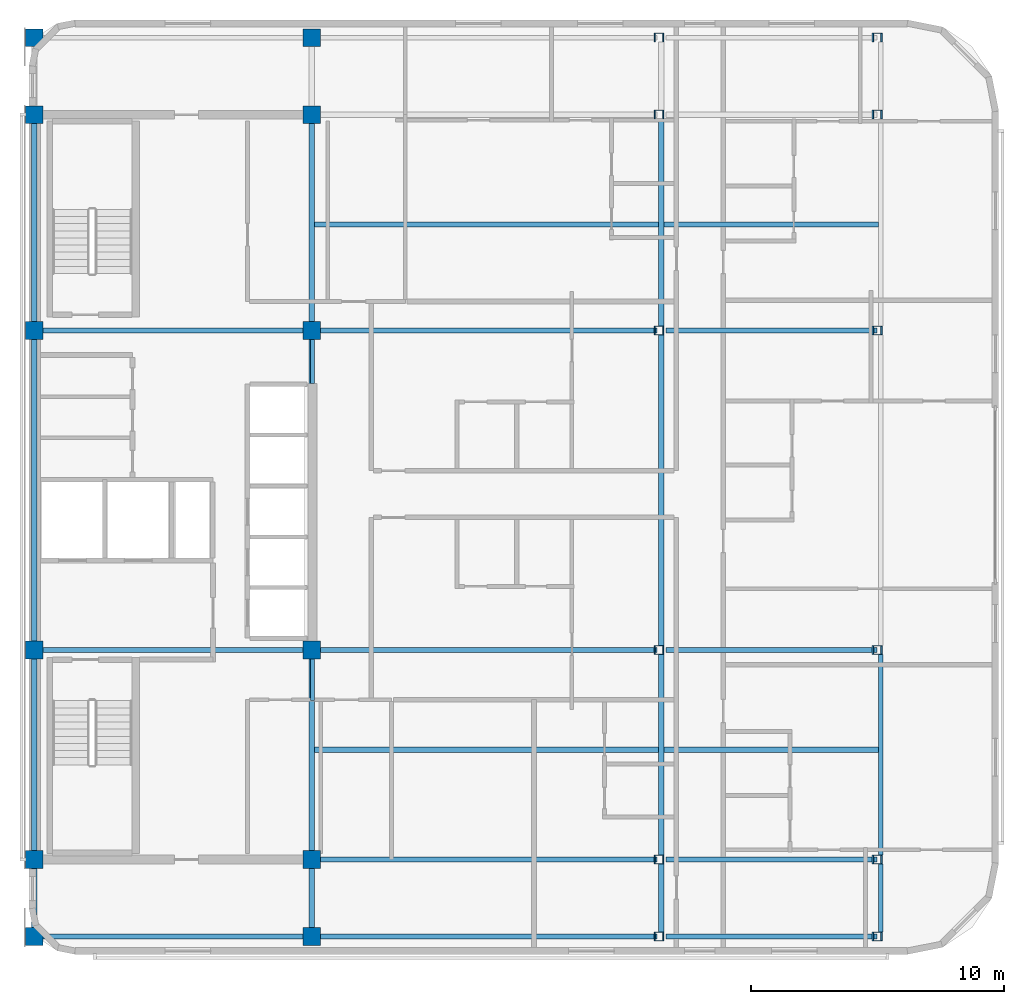
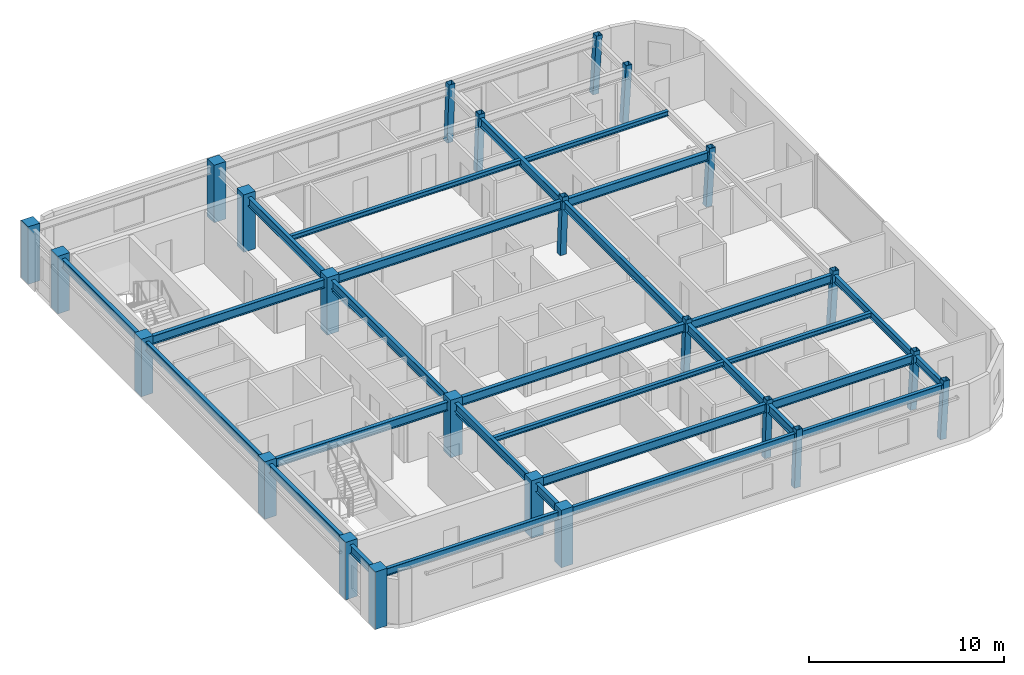
# One storey, part 1 of 10: 31 beams, 24 columns.
"""IFC4 building model written with IfcOpenShell, lengths in metres."""

import ifcopenshell
import ifcopenshell.guid

model = None  # the IFC model being written
_history = None  # IfcOwnerHistory: only IFC2X3 demands one
_inside = {}  # id of a spatial element -> (the spatial element, [elements in it])
_under = {}  # id of a project, library or spatial element -> (it, [spatial elements below it])
_declared = {}  # id of a project -> (the project, [libraries it declares])
_typed = {}  # id of a type object -> (the type object, [elements of that type])
_made_of = {}  # id of a material, layer set ... -> (it, [elements and type objects made of it])


def new_model(schema):
    """Start an empty IFC model of exactly this schema.

    Asked for "IFC4X3", IfcOpenShell would pick the latest addendum, in which some entities
    have other attributes; the version numbers below select the first issue.
    IFC2X3 requires an IfcOwnerHistory on every rooted entity: one is made here for all.
    """
    global model, _history
    if schema == "IFC4X3":
        model = ifcopenshell.file(schema_version=(4, 3, 0, 0))
    else:
        model = ifcopenshell.file(schema=schema)
    _inside.clear()
    _under.clear()
    _declared.clear()
    _typed.clear()
    _made_of.clear()
    _history = None
    if model.schema == "IFC2X3":
        org = make("IfcOrganization", Name="unknown")
        user = make(
            "IfcPersonAndOrganization",
            ThePerson=make("IfcPerson", FamilyName="unknown"),
            TheOrganization=org,
        )
        app = make(
            "IfcApplication",
            ApplicationDeveloper=org,
            Version="unknown",
            ApplicationFullName="unknown",
            ApplicationIdentifier="unknown",
        )
        _history = make(
            "IfcOwnerHistory",
            OwningUser=user,
            OwningApplication=app,
            ChangeAction="ADDED",
            CreationDate=0,
        )
    return model


def make(cls, **values):
    """One entity of the class cls with the attributes given. An attribute that is None is left unset."""
    return model.create_entity(
        cls, **{name: value for name, value in values.items() if value is not None}
    )


def rooted(cls, **values):
    """An entity with a GlobalId (a new one), such as an element, a storey or a relation."""
    return make(cls, GlobalId=ifcopenshell.guid.new(), OwnerHistory=_history, **values)


def si_unit(unit_type, name, prefix=None):
    """IfcSIUnit, for example si_unit("LENGTHUNIT", "METRE", prefix="MILLI")."""
    return make("IfcSIUnit", UnitType=unit_type, Prefix=prefix, Name=name)


def assignment(units):
    """IfcUnitAssignment: the units of a project."""
    return None if units is None else make("IfcUnitAssignment", Units=units)


def point(xyz):
    """IfcCartesianPoint."""
    return None if xyz is None else make("IfcCartesianPoint", Coordinates=xyz)


def direction(xyz):
    """IfcDirection."""
    return None if xyz is None else make("IfcDirection", DirectionRatios=xyz)


def frame(location, z_axis=None, x_axis=None):
    """IfcAxis2Placement3D, a coordinate frame: its origin and axes. An axis left out is left unset."""
    return make(
        "IfcAxis2Placement3D",
        Location=point(location),
        Axis=direction(z_axis),
        RefDirection=direction(x_axis),
    )


def frame_2d(location, x_axis=None):
    """IfcAxis2Placement2D, a coordinate frame in the plane: its origin and x axis."""
    return make(
        "IfcAxis2Placement2D", Location=point(location), RefDirection=direction(x_axis)
    )


def origin():
    """The frame at (0, 0, 0) with its axes left unset."""
    return frame((0.0, 0.0, 0.0))


def origin_2d():
    """The frame at (0, 0) in the plane with its x axis left unset."""
    return frame_2d((0.0, 0.0))


def place(relative_to, where):
    """IfcLocalPlacement: puts the frame where relative to a parent placement (None: the world)."""
    return make(
        "IfcLocalPlacement", PlacementRelTo=relative_to, RelativePlacement=where
    )


def context(
    kind, dimensions, precision=None, world=None, true_north=None, identifier=None
):
    """IfcGeometricRepresentationContext, for example the 3D "Model" context."""
    return make(
        "IfcGeometricRepresentationContext",
        ContextIdentifier=identifier,
        ContextType=kind,
        CoordinateSpaceDimension=dimensions,
        Precision=precision,
        WorldCoordinateSystem=world,
        TrueNorth=true_north,
    )


def subcontext(parent, identifier, kind, view, scale=None):
    """IfcGeometricRepresentationSubContext, for example "Body" below "Model"."""
    return make(
        "IfcGeometricRepresentationSubContext",
        ContextIdentifier=identifier,
        ContextType=kind,
        ParentContext=parent,
        TargetScale=scale,
        TargetView=view,
    )


def project(units=None, contexts=None):
    """IfcProject with its units and contexts."""
    return rooted(
        "IfcProject",
        Name="project",
        RepresentationContexts=contexts,
        UnitsInContext=assignment(units),
    )


def spatial(cls, under=None, at=None, **own):
    """A site, building, storey or space (cls), placed at a placement, below another one or the project."""
    s = rooted(cls, ObjectPlacement=at, **own)
    if under is not None:
        _under.setdefault(under.id(), (under, []))[1].append(s)
    return s


def profile(cls, at=None, kind="AREA", **sizes):
    """A parametric profile (cls). Its sizes go by their IFC names, for example OverallWidth=200.0."""
    return make(cls, ProfileType=kind, Position=at, **sizes)


def rectangle(**sizes):
    """IfcRectangleProfileDef."""
    return profile("IfcRectangleProfileDef", **sizes)


def hollow_rectangle(**sizes):
    """IfcRectangleHollowProfileDef."""
    return profile("IfcRectangleHollowProfileDef", **sizes)


def i_section(**sizes):
    """IfcIShapeProfileDef."""
    return profile("IfcIShapeProfileDef", **sizes)


def extrude(swept, where, along, depth):
    """IfcExtrudedAreaSolid: the profile swept, set in the frame where, extruded along a direction by depth."""
    return make(
        "IfcExtrudedAreaSolid",
        SweptArea=swept,
        Position=where,
        ExtrudedDirection=direction(along),
        Depth=depth,
    )


def shape(context_of_items, identifier, shape_type, items):
    """IfcShapeRepresentation: the items that make up one representation, for example the "Body"."""
    return make(
        "IfcShapeRepresentation",
        ContextOfItems=context_of_items,
        RepresentationIdentifier=identifier,
        RepresentationType=shape_type,
        Items=items,
    )


def material(Name=None, Category=None):
    """IfcMaterial."""
    return make("IfcMaterial", Name=Name, Category=Category)


def material_profile(
    of_material, cross_section, Name=None, Category=None, Priority=None
):
    """IfcMaterialProfile: a cross section and its material."""
    return make(
        "IfcMaterialProfile",
        Name=Name,
        Material=of_material,
        Profile=cross_section,
        Priority=Priority,
        Category=Category,
    )


def profile_set(profiles, Name=None, composite=None):
    """IfcMaterialProfileSet."""
    return make(
        "IfcMaterialProfileSet",
        Name=Name,
        MaterialProfiles=profiles,
        CompositeProfile=composite,
    )


def made_of(thing, what):
    """Note that an element or type object is made of a material, layer set ...; save() writes the relation."""
    if what is not None:
        _made_of.setdefault(what.id(), (what, []))[1].append(thing)
    return thing


def type_object(cls, material=None, **own):
    """A type object (cls), such as IfcWallType, which elements share."""
    return made_of(rooted(cls, **own), material)


def element(
    cls,
    number,
    at=None,
    inside=None,
    cuts=None,
    type_object=None,
    material=None,
    context=None,
    identifier="Body",
    shape_type=None,
    held_by="IfcProductDefinitionShape",
    body=None,
    shapes=None,
    **own,
):
    """One element of the class cls, such as IfcWall. Its Tag is "e" and its number.

    at: its placement. inside: the storey or other place that contains it. cuts: it is an
    opening in that element (IfcRelVoidsElement). A single representation is given by context,
    identifier, shape_type and body (its items); several are given by shapes. held_by: the class
    of the entity that holds the representations. save() writes the other relations.
    """
    e = rooted(cls, Tag="e%d" % number, ObjectPlacement=at, **own)
    if body is not None:
        shapes = [shape(context, identifier, shape_type, body)]
    if shapes is not None:
        e.Representation = make(held_by, Representations=shapes)
    if inside is not None:
        _inside.setdefault(inside.id(), (inside, []))[1].append(e)
    if cuts is not None:
        rooted(
            "IfcRelVoidsElement", RelatingBuildingElement=cuts, RelatedOpeningElement=e
        )
    if type_object is not None:
        _typed.setdefault(type_object.id(), (type_object, []))[1].append(e)
    return made_of(e, material)


def aggregate(whole, parts):
    """IfcRelAggregates: a whole, such as a stair, and the parts it consists of."""
    return rooted("IfcRelAggregates", RelatingObject=whole, RelatedObjects=parts)


def save(model, path):
    """Write the relations noted so far, then the file.

    IfcRelAggregates (storeys below a building ...), IfcRelContainedInSpatialStructure (elements
    in a storey), IfcRelDefinesByType, IfcRelAssociatesMaterial and IfcRelDeclares: one each for
    every whole, place, type object, material and project.
    """
    for whole, parts in _under.values():
        aggregate(whole, parts)
    for where, things in _inside.values():
        rooted(
            "IfcRelContainedInSpatialStructure",
            RelatedElements=things,
            RelatingStructure=where,
        )
    for kind, things in _typed.values():
        rooted("IfcRelDefinesByType", RelatedObjects=things, RelatingType=kind)
    for what, things in _made_of.values():
        rooted("IfcRelAssociatesMaterial", RelatedObjects=things, RelatingMaterial=what)
    for by, libraries in _declared.values():
        rooted("IfcRelDeclares", RelatingContext=by, RelatedDefinitions=libraries)
    model.write(path)


model = new_model("IFC4")

# Units and contexts
model_context = context("Model", 3, precision=1e-05, world=origin(), true_north=direction((0.0, 1.0)))
body_context = subcontext(model_context, "Body", "Model", "MODEL_VIEW")
ifc_project = project(units=[si_unit("LENGTHUNIT", "METRE"), si_unit("AREAUNIT", "SQUARE_METRE"), si_unit("VOLUMEUNIT", "CUBIC_METRE"), si_unit("PLANEANGLEUNIT", "RADIAN"), si_unit("MASSUNIT", "GRAM", prefix="KILO")], contexts=[model_context])

# Site, building, storey
site_placement = place(None, origin())
site = spatial("IfcSite", under=ifc_project, at=site_placement, CompositionType="ELEMENT")
building_placement = place(site_placement, origin())
building = spatial("IfcBuilding", under=site, at=building_placement, Name="Ochreholt Gables", CompositionType="ELEMENT")
storey_placement = place(building_placement, frame((0.0, 0.0, 256.800048828125)))
storey = spatial("IfcBuildingStorey", under=building, at=storey_placement, Name="L67", CompositionType="ELEMENT", Elevation=256.800048828125)

# Columns
ifc_material_1 = material(Name="Steel CSA G40.21 350W", Category="steel")
ifc_material_profile_1 = material_profile(ifc_material_1, hollow_rectangle(XDim=0.35595703125, YDim=0.35595703125, WallThickness=0.01611328125, at=origin_2d()), Name="HSS356X356X16")
ifc_profile_set_1 = profile_set([ifc_material_profile_1], Name="Steel CSA G40.21 350W")
column_type_1 = type_object("IfcColumnType", Name="COL-HSS356-RAK", PredefinedType="COLUMN", material=ifc_profile_set_1)
for number, where, z_axis, x_axis, name in (
    (1, (48.924072265625, 9.25, 0.0), (0.034973505036, 0.0, 0.999388239847), (0.0, 1.0, 0.0), "L67 Column EMY2"),
    (2, (48.924072265625, 17.550048828125, 0.0), (0.034973505036, 0.0, 0.999388239847), (0.0, 1.0, 0.0), "L67 Column EMY3"),
    (3, (48.924072265625, 30.199951171875, 0.0), (0.034973505036, 0.0, 0.999388239847), (0.0, 1.0, 0.0), "L67 Column EMY4"),
    (4, (48.924072265625, 38.75, 0.0), (0.034973505036, 0.0, 0.999388239847), (0.0, 1.0, 0.0), "L67 Column EMY5"),
):
    element("IfcColumn", number, at=place(storey_placement, frame(where, z_axis=z_axis, x_axis=x_axis)), inside=storey, type_object=column_type_1, Name=name, PredefinedType="COLUMN", context=body_context, shape_type="SweptSolid", body=[
        extrude(hollow_rectangle(XDim=0.35595703125, YDim=0.35595703125, WallThickness=0.01611328125, at=origin_2d()), origin(), (0.0, 0.0, 1.0), 3.60205078125),
    ])
ifc_material_profile_2 = material_profile(ifc_material_1, hollow_rectangle(XDim=0.35595703125, YDim=0.35595703125, WallThickness=0.01611328125, at=origin_2d()), Name="HSS356X356X16")
ifc_profile_set_2 = profile_set([ifc_material_profile_2], Name="Steel CSA G40.21 350W")
column_type_2 = type_object("IfcColumnType", Name="COL-HSS356-RAKE", PredefinedType="COLUMN", material=ifc_profile_set_2)
for number, where, z_axis, x_axis, name in (
    (5, (48.924072265625, 6.199951171875, 0.0), (0.034973505036, 0.0, 0.999388239847), (0.0, 1.0, 0.0), "L67 Column EMY1"),
    (6, (48.924072265625, 41.800048828125, 0.0), (0.034973505036, 0.0, 0.999388239847), (0.0, 1.0, 0.0), "L67 Column EMY6"),
):
    element("IfcColumn", number, at=place(storey_placement, frame(where, z_axis=z_axis, x_axis=x_axis)), inside=storey, type_object=column_type_2, Name=name, PredefinedType="COLUMN", context=body_context, shape_type="SweptSolid", body=[
        extrude(hollow_rectangle(XDim=0.35595703125, YDim=0.35595703125, WallThickness=0.01611328125, at=origin_2d()), origin(), (0.0, 0.0, 1.0), 3.60205078125),
    ])
for number, where, z_axis, x_axis, name in (
    (7, (57.55126953125, 6.199951171875, 0.0), (0.057888518877, 0.0, 0.998323053617), (0.0, 1.0, 0.0), "L67 Column EEY1"),
    (8, (57.55126953125, 9.25, 0.0), (0.057888518877, 0.0, 0.998323053617), (0.0, 1.0, 0.0), "L67 Column EEY2"),
    (9, (57.55126953125, 17.550048828125, 0.0), (0.057888518877, 0.0, 0.998323053617), (0.0, 1.0, 0.0), "L67 Column EEY3"),
    (10, (57.55126953125, 30.199951171875, 0.0), (0.057888518877, 0.0, 0.998323053617), (0.0, 1.0, 0.0), "L67 Column EEY4"),
    (11, (57.55126953125, 38.75, 0.0), (0.057888518877, 0.0, 0.998323053617), (0.0, 1.0, 0.0), "L67 Column EEY5"),
    (12, (57.55126953125, 41.800048828125, 0.0), (0.057888518877, 0.0, 0.998323053617), (0.0, 1.0, 0.0), "L67 Column EEY6"),
):
    element("IfcColumn", number, at=place(storey_placement, frame(where, z_axis=z_axis, x_axis=x_axis)), inside=storey, type_object=column_type_2, Name=name, PredefinedType="COLUMN", context=body_context, shape_type="SweptSolid", body=[
        extrude(hollow_rectangle(XDim=0.35595703125, YDim=0.35595703125, WallThickness=0.01611328125, at=origin_2d()), origin(), (0.0, 0.0, 1.0), 3.60595703125),
    ])
ifc_material_2 = material(Name="Concrete 50 MPa", Category="concrete")
ifc_material_profile_3 = material_profile(ifc_material_2, rectangle(XDim=0.699951171875, YDim=0.699951171875, at=origin_2d()), Name="RC700X700")
ifc_profile_set_3 = profile_set([ifc_material_profile_3], Name="Concrete 50 MPa")
column_type_3 = type_object("IfcColumnType", Name="COL-RC700-EXT", PredefinedType="COLUMN", material=ifc_profile_set_3)
for number, where, z_axis, x_axis, name in (
    (13, (24.199951171875, 6.199951171875, 0.0), (0.0, 0.0, 1.0), (1.0, 0.0, 0.0), "L67 Column C1Y1"),
    (14, (24.199951171875, 9.25, 0.0), (0.0, 0.0, 1.0), (1.0, 0.0, 0.0), "L67 Column C1Y2"),
    (15, (24.199951171875, 17.550048828125, 0.0), (0.0, 0.0, 1.0), (1.0, 0.0, 0.0), "L67 Column C1Y3"),
    (16, (24.199951171875, 30.199951171875, 0.0), (0.0, 0.0, 1.0), (1.0, 0.0, 0.0), "L67 Column C1Y4"),
    (17, (24.199951171875, 38.75, 0.0), (0.0, 0.0, 1.0), (1.0, 0.0, 0.0), "L67 Column C1Y5"),
    (18, (24.199951171875, 41.800048828125, 0.0), (0.0, 0.0, 1.0), (1.0, 0.0, 0.0), "L67 Column C1Y6"),
    (19, (35.199951171875, 6.199951171875, 0.0), (0.0, 0.0, 1.0), (1.0, 0.0, 0.0), "L67 Column C2Y1"),
    (20, (35.199951171875, 41.800048828125, 0.0), (0.0, 0.0, 1.0), (1.0, 0.0, 0.0), "L67 Column C2Y6"),
):
    element("IfcColumn", number, at=place(storey_placement, frame(where, z_axis=z_axis, x_axis=x_axis)), inside=storey, type_object=column_type_3, Name=name, PredefinedType="COLUMN", context=body_context, shape_type="SweptSolid", body=[
        extrude(rectangle(XDim=0.699951171875, YDim=0.699951171875, at=origin_2d()), origin(), (0.0, 0.0, 1.0), 3.599853515625),
    ])
ifc_material_profile_4 = material_profile(ifc_material_2, rectangle(XDim=0.699951171875, YDim=0.699951171875, at=origin_2d()), Name="RC700X700")
ifc_profile_set_4 = profile_set([ifc_material_profile_4], Name="Concrete 50 MPa")
column_type_4 = type_object("IfcColumnType", Name="COL-RC700-INT", PredefinedType="COLUMN", material=ifc_profile_set_4)
for number, where, z_axis, x_axis, name in (
    (21, (35.199951171875, 9.25, 0.0), (0.0, 0.0, 1.0), (1.0, 0.0, 0.0), "L67 Column C2Y2"),
    (22, (35.199951171875, 17.550048828125, 0.0), (0.0, 0.0, 1.0), (1.0, 0.0, 0.0), "L67 Column C2Y3"),
    (23, (35.199951171875, 30.199951171875, 0.0), (0.0, 0.0, 1.0), (1.0, 0.0, 0.0), "L67 Column C2Y4"),
    (24, (35.199951171875, 38.75, 0.0), (0.0, 0.0, 1.0), (1.0, 0.0, 0.0), "L67 Column C2Y5"),
):
    element("IfcColumn", number, at=place(storey_placement, frame(where, z_axis=z_axis, x_axis=x_axis)), inside=storey, type_object=column_type_4, Name=name, PredefinedType="COLUMN", context=body_context, shape_type="SweptSolid", body=[
        extrude(rectangle(XDim=0.699951171875, YDim=0.699951171875, at=origin_2d()), origin(), (0.0, 0.0, 1.0), 3.599853515625),
    ])

# Beams
ifc_material_profile_5 = material_profile(ifc_material_1, i_section(OverallWidth=0.2109375, OverallDepth=0.5390625, WebThickness=0.01171875, FlangeThickness=0.018798828125, at=origin_2d()), Name="W530X109")
ifc_profile_set_5 = profile_set([ifc_material_profile_5], Name="Steel CSA G40.21 350W")
beam_type_1 = type_object("IfcBeamType", Name="BM-G-W530A", PredefinedType="BEAM", material=ifc_profile_set_5)
beam_1_placement = place(storey_placement, frame((35.549560546875, 9.25, 3.09033203125), z_axis=(1.0, 0.0, 0.0), x_axis=(0.0, 1.0, 0.0)))
element("IfcBeam", 25, at=beam_1_placement, inside=storey, type_object=beam_type_1, Name="L67 Beam TBG-L67-C2EM-Y2", PredefinedType="BEAM", context=body_context, shape_type="SweptSolid", body=[
    extrude(i_section(OverallWidth=0.2109375, OverallDepth=0.5390625, WebThickness=0.01171875, FlangeThickness=0.018798828125, at=origin_2d()), origin(), (0.0, 0.0, 1.0), 13.32275390625),
])
beam_2_placement = place(storey_placement, frame((49.2275390625, 9.25, 3.09033203125), z_axis=(1.0, 0.0, 0.0), x_axis=(0.0, 1.0, 0.0)))
element("IfcBeam", 26, at=beam_2_placement, inside=storey, type_object=beam_type_1, Name="L67 Beam TBG-L67-EMEE-Y2", PredefinedType="BEAM", context=body_context, shape_type="SweptSolid", body=[
    extrude(i_section(OverallWidth=0.2109375, OverallDepth=0.5390625, WebThickness=0.01171875, FlangeThickness=0.018798828125, at=origin_2d()), origin(), (0.0, 0.0, 1.0), 8.35498046875),
])
beam_3_placement = place(storey_placement, frame((24.549560546875, 17.550048828125, 3.09033203125), z_axis=(1.0, 0.0, 0.0), x_axis=(0.0, 1.0, 0.0)))
element("IfcBeam", 27, at=beam_3_placement, inside=storey, type_object=beam_type_1, Name="L67 Beam TBG-L67-C1C2-Y3", PredefinedType="BEAM", context=body_context, shape_type="SweptSolid", body=[
    extrude(i_section(OverallWidth=0.2109375, OverallDepth=0.5390625, WebThickness=0.01171875, FlangeThickness=0.018798828125, at=origin_2d()), origin(), (0.0, 0.0, 1.0), 10.30078125),
])
beam_4_placement = place(storey_placement, frame((35.549560546875, 17.550048828125, 3.09033203125), z_axis=(1.0, 0.0, 0.0), x_axis=(0.0, 1.0, 0.0)))
element("IfcBeam", 28, at=beam_4_placement, inside=storey, type_object=beam_type_1, Name="L67 Beam TBG-L67-C2EM-Y3", PredefinedType="BEAM", context=body_context, shape_type="SweptSolid", body=[
    extrude(i_section(OverallWidth=0.2109375, OverallDepth=0.5390625, WebThickness=0.01171875, FlangeThickness=0.018798828125, at=origin_2d()), origin(), (0.0, 0.0, 1.0), 13.32275390625),
])
beam_5_placement = place(storey_placement, frame((49.2275390625, 17.550048828125, 3.09033203125), z_axis=(1.0, 0.0, 0.0), x_axis=(0.0, 1.0, 0.0)))
element("IfcBeam", 29, at=beam_5_placement, inside=storey, type_object=beam_type_1, Name="L67 Beam TBG-L67-EMEE-Y3", PredefinedType="BEAM", context=body_context, shape_type="SweptSolid", body=[
    extrude(i_section(OverallWidth=0.2109375, OverallDepth=0.5390625, WebThickness=0.01171875, FlangeThickness=0.018798828125, at=origin_2d()), origin(), (0.0, 0.0, 1.0), 8.35498046875),
])
beam_6_placement = place(storey_placement, frame((24.549560546875, 30.199951171875, 3.09033203125), z_axis=(1.0, 0.0, 0.0), x_axis=(0.0, 1.0, 0.0)))
element("IfcBeam", 30, at=beam_6_placement, inside=storey, type_object=beam_type_1, Name="L67 Beam TBG-L67-C1C2-Y4", PredefinedType="BEAM", context=body_context, shape_type="SweptSolid", body=[
    extrude(i_section(OverallWidth=0.2109375, OverallDepth=0.5390625, WebThickness=0.01171875, FlangeThickness=0.018798828125, at=origin_2d()), origin(), (0.0, 0.0, 1.0), 10.30078125),
])
beam_7_placement = place(storey_placement, frame((35.549560546875, 30.199951171875, 3.09033203125), z_axis=(1.0, 0.0, 0.0), x_axis=(0.0, 1.0, 0.0)))
element("IfcBeam", 31, at=beam_7_placement, inside=storey, type_object=beam_type_1, Name="L67 Beam TBG-L67-C2EM-Y4", PredefinedType="BEAM", context=body_context, shape_type="SweptSolid", body=[
    extrude(i_section(OverallWidth=0.2109375, OverallDepth=0.5390625, WebThickness=0.01171875, FlangeThickness=0.018798828125, at=origin_2d()), origin(), (0.0, 0.0, 1.0), 13.32275390625),
])
beam_8_placement = place(storey_placement, frame((49.2275390625, 30.199951171875, 3.09033203125), z_axis=(1.0, 0.0, 0.0), x_axis=(0.0, 1.0, 0.0)))
element("IfcBeam", 32, at=beam_8_placement, inside=storey, type_object=beam_type_1, Name="L67 Beam TBG-L67-EMEE-Y4", PredefinedType="BEAM", context=body_context, shape_type="SweptSolid", body=[
    extrude(i_section(OverallWidth=0.2109375, OverallDepth=0.5390625, WebThickness=0.01171875, FlangeThickness=0.018798828125, at=origin_2d()), origin(), (0.0, 0.0, 1.0), 8.35498046875),
])
beam_9_placement = place(storey_placement, frame((24.199951171875, 6.549560546875, 3.09033203125), z_axis=(0.0, 1.0, 0.0), x_axis=(-1.0, 0.0, 0.0)))
element("IfcBeam", 33, at=beam_9_placement, inside=storey, type_object=beam_type_1, Name="L67 Beam TBN-L67-C1-Y1Y2", PredefinedType="BEAM", context=body_context, shape_type="SweptSolid", body=[
    extrude(i_section(OverallWidth=0.2109375, OverallDepth=0.5390625, WebThickness=0.01171875, FlangeThickness=0.018798828125, at=origin_2d()), origin(), (0.0, 0.0, 1.0), 2.350830078125),
])
beam_10_placement = place(storey_placement, frame((24.199951171875, 9.599609375, 3.09033203125), z_axis=(0.0, 1.0, 0.0), x_axis=(-1.0, 0.0, 0.0)))
element("IfcBeam", 34, at=beam_10_placement, inside=storey, type_object=beam_type_1, Name="L67 Beam TBN-L67-C1-Y2Y3", PredefinedType="BEAM", context=body_context, shape_type="SweptSolid", body=[
    extrude(i_section(OverallWidth=0.2109375, OverallDepth=0.5390625, WebThickness=0.01171875, FlangeThickness=0.018798828125, at=origin_2d()), origin(), (0.0, 0.0, 1.0), 7.600830078125),
])
beam_11_placement = place(storey_placement, frame((24.199951171875, 17.899658203125, 3.09033203125), z_axis=(0.0, 1.0, 0.0), x_axis=(-1.0, 0.0, 0.0)))
element("IfcBeam", 35, at=beam_11_placement, inside=storey, type_object=beam_type_1, Name="L67 Beam TBN-L67-C1-Y3Y4", PredefinedType="BEAM", context=body_context, shape_type="SweptSolid", body=[
    extrude(i_section(OverallWidth=0.2109375, OverallDepth=0.5390625, WebThickness=0.01171875, FlangeThickness=0.018798828125, at=origin_2d()), origin(), (0.0, 0.0, 1.0), 11.95068359375),
])
beam_12_placement = place(storey_placement, frame((24.199951171875, 30.549560546875, 3.09033203125), z_axis=(0.0, 1.0, 0.0), x_axis=(-1.0, 0.0, 0.0)))
element("IfcBeam", 36, at=beam_12_placement, inside=storey, type_object=beam_type_1, Name="L67 Beam TBN-L67-C1-Y4Y5", PredefinedType="BEAM", context=body_context, shape_type="SweptSolid", body=[
    extrude(i_section(OverallWidth=0.2109375, OverallDepth=0.5390625, WebThickness=0.01171875, FlangeThickness=0.018798828125, at=origin_2d()), origin(), (0.0, 0.0, 1.0), 7.850830078125),
])
beam_13_placement = place(storey_placement, frame((35.199951171875, 6.549560546875, 3.09033203125), z_axis=(0.0, 1.0, 0.0), x_axis=(-1.0, 0.0, 0.0)))
element("IfcBeam", 37, at=beam_13_placement, inside=storey, type_object=beam_type_1, Name="L67 Beam TBN-L67-C2-Y1Y2", PredefinedType="BEAM", context=body_context, shape_type="SweptSolid", body=[
    extrude(i_section(OverallWidth=0.2109375, OverallDepth=0.5390625, WebThickness=0.01171875, FlangeThickness=0.018798828125, at=origin_2d()), origin(), (0.0, 0.0, 1.0), 2.350830078125),
])
beam_14_placement = place(storey_placement, frame((35.199951171875, 9.599609375, 3.09033203125), z_axis=(0.0, 1.0, 0.0), x_axis=(-1.0, 0.0, 0.0)))
element("IfcBeam", 38, at=beam_14_placement, inside=storey, type_object=beam_type_1, Name="L67 Beam TBN-L67-C2-Y2Y3", PredefinedType="BEAM", context=body_context, shape_type="SweptSolid", body=[
    extrude(i_section(OverallWidth=0.2109375, OverallDepth=0.5390625, WebThickness=0.01171875, FlangeThickness=0.018798828125, at=origin_2d()), origin(), (0.0, 0.0, 1.0), 7.600830078125),
])
beam_15_placement = place(storey_placement, frame((35.199951171875, 17.899658203125, 3.09033203125), z_axis=(0.0, 1.0, 0.0), x_axis=(-1.0, 0.0, 0.0)))
element("IfcBeam", 39, at=beam_15_placement, inside=storey, type_object=beam_type_1, Name="L67 Beam TBN-L67-C2-Y3Y4", PredefinedType="BEAM", context=body_context, shape_type="SweptSolid", body=[
    extrude(i_section(OverallWidth=0.2109375, OverallDepth=0.5390625, WebThickness=0.01171875, FlangeThickness=0.018798828125, at=origin_2d()), origin(), (0.0, 0.0, 1.0), 11.95068359375),
])
beam_16_placement = place(storey_placement, frame((35.199951171875, 30.549560546875, 3.09033203125), z_axis=(0.0, 1.0, 0.0), x_axis=(-1.0, 0.0, 0.0)))
element("IfcBeam", 40, at=beam_16_placement, inside=storey, type_object=beam_type_1, Name="L67 Beam TBN-L67-C2-Y4Y5", PredefinedType="BEAM", context=body_context, shape_type="SweptSolid", body=[
    extrude(i_section(OverallWidth=0.2109375, OverallDepth=0.5390625, WebThickness=0.01171875, FlangeThickness=0.018798828125, at=origin_2d()), origin(), (0.0, 0.0, 1.0), 7.850830078125),
])
beam_17_placement = place(storey_placement, frame((49.03271484375, 6.377685546875, 3.09033203125), z_axis=(0.0, 1.0, 0.0), x_axis=(-1.0, 0.0, 0.0)))
element("IfcBeam", 41, at=beam_17_placement, inside=storey, type_object=beam_type_1, Name="L67 Beam TBN-L67-EM-Y1Y2", PredefinedType="BEAM", context=body_context, shape_type="SweptSolid", body=[
    extrude(i_section(OverallWidth=0.2109375, OverallDepth=0.5390625, WebThickness=0.01171875, FlangeThickness=0.018798828125, at=origin_2d()), origin(), (0.0, 0.0, 1.0), 2.69482421875),
])
beam_18_placement = place(storey_placement, frame((49.03271484375, 9.427490234375, 3.09033203125), z_axis=(0.0, 1.0, 0.0), x_axis=(-1.0, 0.0, 0.0)))
element("IfcBeam", 42, at=beam_18_placement, inside=storey, type_object=beam_type_1, Name="L67 Beam TBN-L67-EM-Y2Y3", PredefinedType="BEAM", context=body_context, shape_type="SweptSolid", body=[
    extrude(i_section(OverallWidth=0.2109375, OverallDepth=0.5390625, WebThickness=0.01171875, FlangeThickness=0.018798828125, at=origin_2d()), origin(), (0.0, 0.0, 1.0), 7.94482421875),
])
beam_19_placement = place(storey_placement, frame((49.03271484375, 17.7275390625, 3.09033203125), z_axis=(0.0, 1.0, 0.0), x_axis=(-1.0, 0.0, 0.0)))
element("IfcBeam", 43, at=beam_19_placement, inside=storey, type_object=beam_type_1, Name="L67 Beam TBN-L67-EM-Y3Y4", PredefinedType="BEAM", context=body_context, shape_type="SweptSolid", body=[
    extrude(i_section(OverallWidth=0.2109375, OverallDepth=0.5390625, WebThickness=0.01171875, FlangeThickness=0.018798828125, at=origin_2d()), origin(), (0.0, 0.0, 1.0), 12.294921875),
])
beam_20_placement = place(storey_placement, frame((49.03271484375, 30.377685546875, 3.09033203125), z_axis=(0.0, 1.0, 0.0), x_axis=(-1.0, 0.0, 0.0)))
element("IfcBeam", 44, at=beam_20_placement, inside=storey, type_object=beam_type_1, Name="L67 Beam TBN-L67-EM-Y4Y5", PredefinedType="BEAM", context=body_context, shape_type="SweptSolid", body=[
    extrude(i_section(OverallWidth=0.2109375, OverallDepth=0.5390625, WebThickness=0.01171875, FlangeThickness=0.018798828125, at=origin_2d()), origin(), (0.0, 0.0, 1.0), 8.19482421875),
])
ifc_material_profile_6 = material_profile(ifc_material_1, i_section(OverallWidth=0.202880859375, OverallDepth=0.302978515625, WebThickness=0.007568359375, FlangeThickness=0.01318359375, at=origin_2d()), Name="W310X60")
ifc_profile_set_6 = profile_set([ifc_material_profile_6], Name="Steel CSA G40.21 350W")
beam_type_2 = type_object("IfcBeamType", Name="BM-J-W310", PredefinedType="JOIST", material=ifc_profile_set_6)
beam_21_placement = place(storey_placement, frame((35.30517578125, 13.60009765625, 3.20849609375), z_axis=(1.0, 0.0, 0.0), x_axis=(0.0, 1.0, 0.0)))
element("IfcBeam", 45, at=beam_21_placement, inside=storey, type_object=beam_type_2, Name="L67 Beam TBJ-L67-J1-C2EM", PredefinedType="JOIST", context=body_context, shape_type="SweptSolid", body=[
    extrude(i_section(OverallWidth=0.202880859375, OverallDepth=0.302978515625, WebThickness=0.007568359375, FlangeThickness=0.01318359375, at=origin_2d()), origin(), (0.0, 0.0, 1.0), 13.62255859375),
])
beam_22_placement = place(storey_placement, frame((49.137939453125, 13.60009765625, 3.20849609375), z_axis=(1.0, 0.0, 0.0), x_axis=(0.0, 1.0, 0.0)))
element("IfcBeam", 46, at=beam_22_placement, inside=storey, type_object=beam_type_2, Name="L67 Beam TBJ-L67-J1-EMEE", PredefinedType="JOIST", context=body_context, shape_type="SweptSolid", body=[
    extrude(i_section(OverallWidth=0.202880859375, OverallDepth=0.302978515625, WebThickness=0.007568359375, FlangeThickness=0.01318359375, at=origin_2d()), origin(), (0.0, 0.0, 1.0), 8.498046875),
])
beam_23_placement = place(storey_placement, frame((35.30517578125, 34.39990234375, 3.20849609375), z_axis=(1.0, 0.0, 0.0), x_axis=(0.0, 1.0, 0.0)))
element("IfcBeam", 47, at=beam_23_placement, inside=storey, type_object=beam_type_2, Name="L67 Beam TBJ-L67-J2-C2EM", PredefinedType="JOIST", context=body_context, shape_type="SweptSolid", body=[
    extrude(i_section(OverallWidth=0.202880859375, OverallDepth=0.302978515625, WebThickness=0.007568359375, FlangeThickness=0.01318359375, at=origin_2d()), origin(), (0.0, 0.0, 1.0), 13.62255859375),
])
beam_24_placement = place(storey_placement, frame((49.137939453125, 34.39990234375, 3.20849609375), z_axis=(1.0, 0.0, 0.0), x_axis=(0.0, 1.0, 0.0)))
element("IfcBeam", 48, at=beam_24_placement, inside=storey, type_object=beam_type_2, Name="L67 Beam TBJ-L67-J2-EMEE", PredefinedType="JOIST", context=body_context, shape_type="SweptSolid", body=[
    extrude(i_section(OverallWidth=0.202880859375, OverallDepth=0.302978515625, WebThickness=0.007568359375, FlangeThickness=0.01318359375, at=origin_2d()), origin(), (0.0, 0.0, 1.0), 8.498046875),
])
ifc_material_profile_7 = material_profile(ifc_material_1, i_section(OverallWidth=0.1650390625, OverallDepth=0.200927734375, WebThickness=0.006103515625, FlangeThickness=0.01025390625, at=origin_2d()), Name="W200X36")
ifc_profile_set_7 = profile_set([ifc_material_profile_7], Name="Steel CSA G40.21 350W")
beam_type_3 = type_object("IfcBeamType", Name="BM-LIN-W200", PredefinedType="LINTEL", material=ifc_profile_set_7)
beam_25_placement = place(storey_placement, frame((35.22509765625, 15.550048828125, 2.720458984375), z_axis=(0.0, 1.0, 0.0), x_axis=(-1.0, 0.0, 0.0)))
element("IfcBeam", 49, at=beam_25_placement, inside=storey, type_object=beam_type_3, Name="L67 Core Coupling Lintel CPS", PredefinedType="LINTEL", context=body_context, shape_type="SweptSolid", body=[
    extrude(i_section(OverallWidth=0.1650390625, OverallDepth=0.200927734375, WebThickness=0.006103515625, FlangeThickness=0.01025390625, at=origin_2d()), origin(), (0.0, 0.0, 1.0), 1.64990234375),
])
beam_26_placement = place(storey_placement, frame((35.22509765625, 28.10009765625, 2.720458984375), z_axis=(0.0, 1.0, 0.0), x_axis=(-1.0, 0.0, 0.0)))
element("IfcBeam", 50, at=beam_26_placement, inside=storey, type_object=beam_type_3, Name="L67 Core Coupling Lintel CPN", PredefinedType="LINTEL", context=body_context, shape_type="SweptSolid", body=[
    extrude(i_section(OverallWidth=0.1650390625, OverallDepth=0.200927734375, WebThickness=0.006103515625, FlangeThickness=0.01025390625, at=origin_2d()), origin(), (0.0, 0.0, 1.0), 1.75),
])
ifc_material_profile_8 = material_profile(ifc_material_1, i_section(OverallWidth=0.19189453125, OverallDepth=0.462890625, WebThickness=0.010498046875, FlangeThickness=0.017578125, at=origin_2d()), Name="W460X89")
ifc_profile_set_8 = profile_set([ifc_material_profile_8], Name="Steel CSA G40.21 350W")
beam_type_4 = type_object("IfcBeamType", Name="BM-SP-W460A", PredefinedType="SPANDREL", material=ifc_profile_set_8)
beam_27_placement = place(storey_placement, frame((24.549560546875, 6.199951171875, 3.12841796875), z_axis=(1.0, 0.0, 0.0), x_axis=(0.0, 1.0, 0.0)))
element("IfcBeam", 51, at=beam_27_placement, inside=storey, type_object=beam_type_4, Name="L67 Beam TBG-L67-C1C2-Y1", PredefinedType="SPANDREL", context=body_context, shape_type="SweptSolid", body=[
    extrude(i_section(OverallWidth=0.19189453125, OverallDepth=0.462890625, WebThickness=0.010498046875, FlangeThickness=0.017578125, at=origin_2d()), origin(), (0.0, 0.0, 1.0), 10.30078125),
])
beam_28_placement = place(storey_placement, frame((35.549560546875, 6.199951171875, 3.12841796875), z_axis=(1.0, 0.0, 0.0), x_axis=(0.0, 1.0, 0.0)))
element("IfcBeam", 52, at=beam_28_placement, inside=storey, type_object=beam_type_4, Name="L67 Beam TBG-L67-C2EM-Y1", PredefinedType="SPANDREL", context=body_context, shape_type="SweptSolid", body=[
    extrude(i_section(OverallWidth=0.19189453125, OverallDepth=0.462890625, WebThickness=0.010498046875, FlangeThickness=0.017578125, at=origin_2d()), origin(), (0.0, 0.0, 1.0), 13.32275390625),
])
beam_29_placement = place(storey_placement, frame((49.2275390625, 6.199951171875, 3.12841796875), z_axis=(1.0, 0.0, 0.0), x_axis=(0.0, 1.0, 0.0)))
element("IfcBeam", 53, at=beam_29_placement, inside=storey, type_object=beam_type_4, Name="L67 Beam TBG-L67-EMEE-Y1", PredefinedType="SPANDREL", context=body_context, shape_type="SweptSolid", body=[
    extrude(i_section(OverallWidth=0.19189453125, OverallDepth=0.462890625, WebThickness=0.010498046875, FlangeThickness=0.017578125, at=origin_2d()), origin(), (0.0, 0.0, 1.0), 8.35498046875),
])
beam_30_placement = place(storey_placement, frame((57.731689453125, 6.377685546875, 3.12841796875), z_axis=(0.0, 1.0, 0.0), x_axis=(-1.0, 0.0, 0.0)))
element("IfcBeam", 54, at=beam_30_placement, inside=storey, type_object=beam_type_4, Name="L67 Beam TBN-L67-EE-Y1Y2", PredefinedType="SPANDREL", context=body_context, shape_type="SweptSolid", body=[
    extrude(i_section(OverallWidth=0.19189453125, OverallDepth=0.462890625, WebThickness=0.010498046875, FlangeThickness=0.017578125, at=origin_2d()), origin(), (0.0, 0.0, 1.0), 2.69482421875),
])
beam_31_placement = place(storey_placement, frame((57.731689453125, 9.427490234375, 3.12841796875), z_axis=(0.0, 1.0, 0.0), x_axis=(-1.0, 0.0, 0.0)))
element("IfcBeam", 55, at=beam_31_placement, inside=storey, type_object=beam_type_4, Name="L67 Beam TBN-L67-EE-Y2Y3", PredefinedType="SPANDREL", context=body_context, shape_type="SweptSolid", body=[
    extrude(i_section(OverallWidth=0.19189453125, OverallDepth=0.462890625, WebThickness=0.010498046875, FlangeThickness=0.017578125, at=origin_2d()), origin(), (0.0, 0.0, 1.0), 7.94482421875),
])

save(model, "model.ifc")
